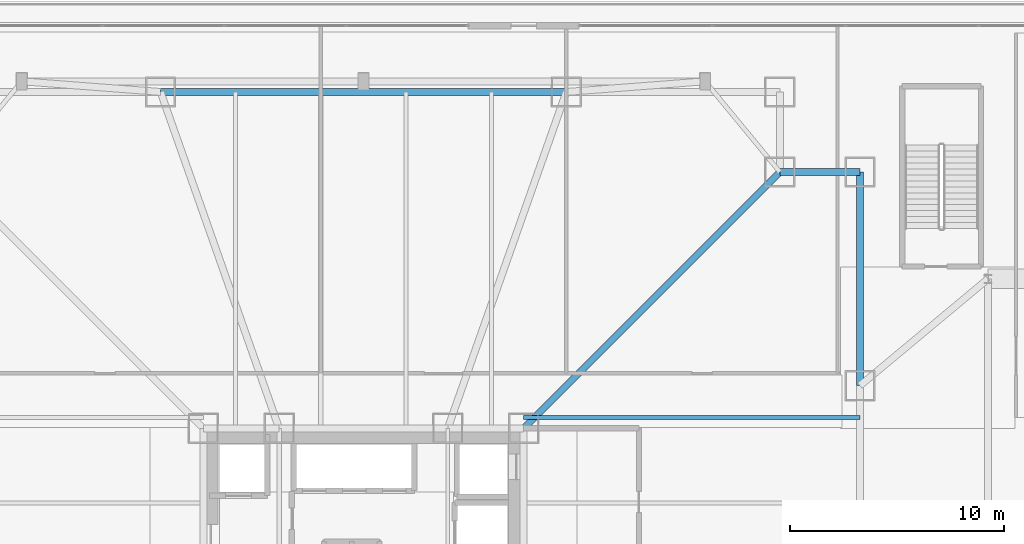
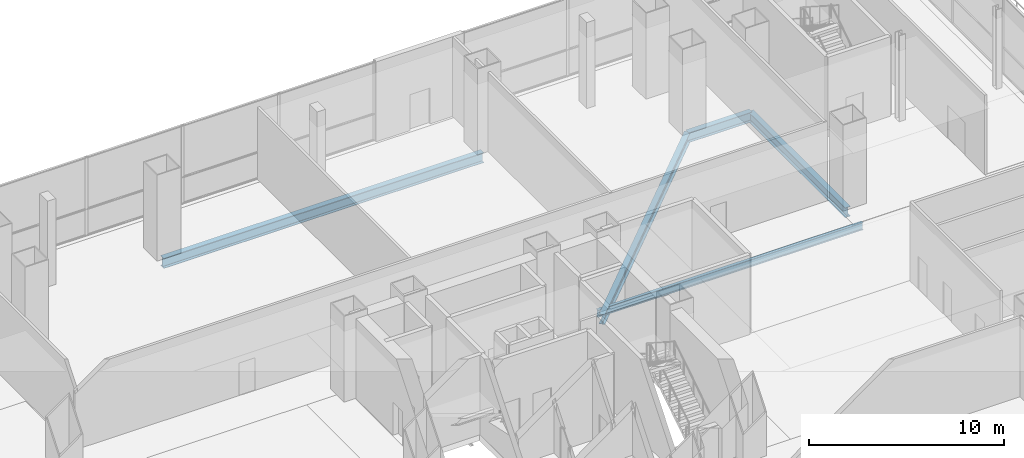
# One storey, part 15 of 35: 5 beams.
"""IFC4 building model written with IfcOpenShell, lengths in metres."""

import ifcopenshell
import ifcopenshell.guid

model = None  # the IFC model being written
_history = None  # IfcOwnerHistory: only IFC2X3 demands one
_inside = {}  # id of a spatial element -> (the spatial element, [elements in it])
_under = {}  # id of a project, library or spatial element -> (it, [spatial elements below it])
_declared = {}  # id of a project -> (the project, [libraries it declares])
_typed = {}  # id of a type object -> (the type object, [elements of that type])
_made_of = {}  # id of a material, layer set ... -> (it, [elements and type objects made of it])


def new_model(schema):
    """Start an empty IFC model of exactly this schema.

    Asked for "IFC4X3", IfcOpenShell would pick the latest addendum, in which some entities
    have other attributes; the version numbers below select the first issue.
    IFC2X3 requires an IfcOwnerHistory on every rooted entity: one is made here for all.
    """
    global model, _history
    if schema == "IFC4X3":
        model = ifcopenshell.file(schema_version=(4, 3, 0, 0))
    else:
        model = ifcopenshell.file(schema=schema)
    _inside.clear()
    _under.clear()
    _declared.clear()
    _typed.clear()
    _made_of.clear()
    _history = None
    if model.schema == "IFC2X3":
        org = make("IfcOrganization", Name="unknown")
        user = make(
            "IfcPersonAndOrganization",
            ThePerson=make("IfcPerson", FamilyName="unknown"),
            TheOrganization=org,
        )
        app = make(
            "IfcApplication",
            ApplicationDeveloper=org,
            Version="unknown",
            ApplicationFullName="unknown",
            ApplicationIdentifier="unknown",
        )
        _history = make(
            "IfcOwnerHistory",
            OwningUser=user,
            OwningApplication=app,
            ChangeAction="ADDED",
            CreationDate=0,
        )
    return model


def make(cls, **values):
    """One entity of the class cls with the attributes given. An attribute that is None is left unset."""
    return model.create_entity(
        cls, **{name: value for name, value in values.items() if value is not None}
    )


def rooted(cls, **values):
    """An entity with a GlobalId (a new one), such as an element, a storey or a relation."""
    return make(cls, GlobalId=ifcopenshell.guid.new(), OwnerHistory=_history, **values)


def si_unit(unit_type, name, prefix=None):
    """IfcSIUnit, for example si_unit("LENGTHUNIT", "METRE", prefix="MILLI")."""
    return make("IfcSIUnit", UnitType=unit_type, Prefix=prefix, Name=name)


def assignment(units):
    """IfcUnitAssignment: the units of a project."""
    return None if units is None else make("IfcUnitAssignment", Units=units)


def point(xyz):
    """IfcCartesianPoint."""
    return None if xyz is None else make("IfcCartesianPoint", Coordinates=xyz)


def direction(xyz):
    """IfcDirection."""
    return None if xyz is None else make("IfcDirection", DirectionRatios=xyz)


def frame(location, z_axis=None, x_axis=None):
    """IfcAxis2Placement3D, a coordinate frame: its origin and axes. An axis left out is left unset."""
    return make(
        "IfcAxis2Placement3D",
        Location=point(location),
        Axis=direction(z_axis),
        RefDirection=direction(x_axis),
    )


def frame_2d(location, x_axis=None):
    """IfcAxis2Placement2D, a coordinate frame in the plane: its origin and x axis."""
    return make(
        "IfcAxis2Placement2D", Location=point(location), RefDirection=direction(x_axis)
    )


def origin():
    """The frame at (0, 0, 0) with its axes left unset."""
    return frame((0.0, 0.0, 0.0))


def origin_2d():
    """The frame at (0, 0) in the plane with its x axis left unset."""
    return frame_2d((0.0, 0.0))


def place(relative_to, where):
    """IfcLocalPlacement: puts the frame where relative to a parent placement (None: the world)."""
    return make(
        "IfcLocalPlacement", PlacementRelTo=relative_to, RelativePlacement=where
    )


def context(
    kind, dimensions, precision=None, world=None, true_north=None, identifier=None
):
    """IfcGeometricRepresentationContext, for example the 3D "Model" context."""
    return make(
        "IfcGeometricRepresentationContext",
        ContextIdentifier=identifier,
        ContextType=kind,
        CoordinateSpaceDimension=dimensions,
        Precision=precision,
        WorldCoordinateSystem=world,
        TrueNorth=true_north,
    )


def subcontext(parent, identifier, kind, view, scale=None):
    """IfcGeometricRepresentationSubContext, for example "Body" below "Model"."""
    return make(
        "IfcGeometricRepresentationSubContext",
        ContextIdentifier=identifier,
        ContextType=kind,
        ParentContext=parent,
        TargetScale=scale,
        TargetView=view,
    )


def project(units=None, contexts=None):
    """IfcProject with its units and contexts."""
    return rooted(
        "IfcProject",
        Name="project",
        RepresentationContexts=contexts,
        UnitsInContext=assignment(units),
    )


def spatial(cls, under=None, at=None, **own):
    """A site, building, storey or space (cls), placed at a placement, below another one or the project."""
    s = rooted(cls, ObjectPlacement=at, **own)
    if under is not None:
        _under.setdefault(under.id(), (under, []))[1].append(s)
    return s


def profile(cls, at=None, kind="AREA", **sizes):
    """A parametric profile (cls). Its sizes go by their IFC names, for example OverallWidth=200.0."""
    return make(cls, ProfileType=kind, Position=at, **sizes)


def i_section(**sizes):
    """IfcIShapeProfileDef."""
    return profile("IfcIShapeProfileDef", **sizes)


def extrude(swept, where, along, depth):
    """IfcExtrudedAreaSolid: the profile swept, set in the frame where, extruded along a direction by depth."""
    return make(
        "IfcExtrudedAreaSolid",
        SweptArea=swept,
        Position=where,
        ExtrudedDirection=direction(along),
        Depth=depth,
    )


def shape(context_of_items, identifier, shape_type, items):
    """IfcShapeRepresentation: the items that make up one representation, for example the "Body"."""
    return make(
        "IfcShapeRepresentation",
        ContextOfItems=context_of_items,
        RepresentationIdentifier=identifier,
        RepresentationType=shape_type,
        Items=items,
    )


def material(Name=None, Category=None):
    """IfcMaterial."""
    return make("IfcMaterial", Name=Name, Category=Category)


def material_profile(
    of_material, cross_section, Name=None, Category=None, Priority=None
):
    """IfcMaterialProfile: a cross section and its material."""
    return make(
        "IfcMaterialProfile",
        Name=Name,
        Material=of_material,
        Profile=cross_section,
        Priority=Priority,
        Category=Category,
    )


def profile_set(profiles, Name=None, composite=None):
    """IfcMaterialProfileSet."""
    return make(
        "IfcMaterialProfileSet",
        Name=Name,
        MaterialProfiles=profiles,
        CompositeProfile=composite,
    )


def made_of(thing, what):
    """Note that an element or type object is made of a material, layer set ...; save() writes the relation."""
    if what is not None:
        _made_of.setdefault(what.id(), (what, []))[1].append(thing)
    return thing


def type_object(cls, material=None, **own):
    """A type object (cls), such as IfcWallType, which elements share."""
    return made_of(rooted(cls, **own), material)


def element(
    cls,
    number,
    at=None,
    inside=None,
    cuts=None,
    type_object=None,
    material=None,
    context=None,
    identifier="Body",
    shape_type=None,
    held_by="IfcProductDefinitionShape",
    body=None,
    shapes=None,
    **own,
):
    """One element of the class cls, such as IfcWall. Its Tag is "e" and its number.

    at: its placement. inside: the storey or other place that contains it. cuts: it is an
    opening in that element (IfcRelVoidsElement). A single representation is given by context,
    identifier, shape_type and body (its items); several are given by shapes. held_by: the class
    of the entity that holds the representations. save() writes the other relations.
    """
    e = rooted(cls, Tag="e%d" % number, ObjectPlacement=at, **own)
    if body is not None:
        shapes = [shape(context, identifier, shape_type, body)]
    if shapes is not None:
        e.Representation = make(held_by, Representations=shapes)
    if inside is not None:
        _inside.setdefault(inside.id(), (inside, []))[1].append(e)
    if cuts is not None:
        rooted(
            "IfcRelVoidsElement", RelatingBuildingElement=cuts, RelatedOpeningElement=e
        )
    if type_object is not None:
        _typed.setdefault(type_object.id(), (type_object, []))[1].append(e)
    return made_of(e, material)


def aggregate(whole, parts):
    """IfcRelAggregates: a whole, such as a stair, and the parts it consists of."""
    return rooted("IfcRelAggregates", RelatingObject=whole, RelatedObjects=parts)


def save(model, path):
    """Write the relations noted so far, then the file.

    IfcRelAggregates (storeys below a building ...), IfcRelContainedInSpatialStructure (elements
    in a storey), IfcRelDefinesByType, IfcRelAssociatesMaterial and IfcRelDeclares: one each for
    every whole, place, type object, material and project.
    """
    for whole, parts in _under.values():
        aggregate(whole, parts)
    for where, things in _inside.values():
        rooted(
            "IfcRelContainedInSpatialStructure",
            RelatedElements=things,
            RelatingStructure=where,
        )
    for kind, things in _typed.values():
        rooted("IfcRelDefinesByType", RelatedObjects=things, RelatingType=kind)
    for what, things in _made_of.values():
        rooted("IfcRelAssociatesMaterial", RelatedObjects=things, RelatingMaterial=what)
    for by, libraries in _declared.values():
        rooted("IfcRelDeclares", RelatingContext=by, RelatedDefinitions=libraries)
    model.write(path)


model = new_model("IFC4")

# Units and contexts
model_context = context("Model", 3, precision=1e-05, world=origin(), true_north=direction((0.0, 1.0)))
body_context = subcontext(model_context, "Body", "Model", "MODEL_VIEW")
ifc_project = project(units=[si_unit("LENGTHUNIT", "METRE"), si_unit("AREAUNIT", "SQUARE_METRE"), si_unit("VOLUMEUNIT", "CUBIC_METRE"), si_unit("PLANEANGLEUNIT", "RADIAN"), si_unit("MASSUNIT", "GRAM", prefix="KILO")], contexts=[model_context])

# Site, building, storey
site_placement = place(None, origin())
site = spatial("IfcSite", under=ifc_project, at=site_placement, CompositionType="ELEMENT")
building_placement = place(site_placement, origin())
building = spatial("IfcBuilding", under=site, at=building_placement, Name="Trevonay Congress Spire", CompositionType="ELEMENT")
storey_placement = place(building_placement, frame((0.0, 0.0, 10.800048828125)))
storey = spatial("IfcBuildingStorey", under=building, at=storey_placement, Name="L02", CompositionType="ELEMENT", Elevation=10.800048828125)

# Beams
ifc_material = material(Name="Steel ASTM A572 Grade 50", Category="steel")
ifc_material_profile_1 = material_profile(ifc_material, i_section(OverallWidth=0.324951171875, OverallDepth=0.615966796875, WebThickness=0.013916015625, FlangeThickness=0.021484375, FilletRadius=0.01806640625, at=origin_2d()), Name="W610x174")
ifc_profile_set_1 = profile_set([ifc_material_profile_1], Name="Steel ASTM A572 Grade 50")
beam_type_1 = type_object("IfcBeamType", Name="BM-GIRD-W610X174", PredefinedType="BEAM", material=ifc_profile_set_1)
beam_1_placement = place(storey_placement, frame((23.25, 9.5, -0.7080078125), z_axis=(0.0, 1.0, 0.0), x_axis=(-1.0, 0.0, 0.0)))
element("IfcBeam", 1, at=beam_1_placement, inside=storey, type_object=beam_type_1, Name="L02 structural beam BM-L02-ME3", PredefinedType="BEAM", context=body_context, shape_type="SweptSolid", body=[
    extrude(i_section(OverallWidth=0.324951171875, OverallDepth=0.615966796875, WebThickness=0.013916015625, FlangeThickness=0.021484375, FilletRadius=0.01806640625, at=origin_2d()), origin(), (0.0, 0.0, 1.0), 10.0),
])
beam_2_placement = place(storey_placement, frame((23.25, 19.5, -0.7080078125), z_axis=(-1.0, 0.0, 0.0), x_axis=(0.0, -1.0, 0.0)))
element("IfcBeam", 2, at=beam_2_placement, inside=storey, type_object=beam_type_1, Name="L02 structural beam BM-L02-CEN", PredefinedType="BEAM", context=body_context, shape_type="SweptSolid", body=[
    extrude(i_section(OverallWidth=0.324951171875, OverallDepth=0.615966796875, WebThickness=0.013916015625, FlangeThickness=0.021484375, FilletRadius=0.01806640625, at=origin_2d()), origin(), (0.0, 0.0, 1.0), 3.75),
])
beam_3_placement = place(storey_placement, frame((7.5, 7.5, -0.7080078125), z_axis=(0.707106781187, 0.707106781187, 0.0), x_axis=(-0.707106781187, 0.707106781187, 0.0)))
element("IfcBeam", 3, at=beam_3_placement, inside=storey, type_object=beam_type_1, Name="L02 structural beam BM-L02-RAD-NE", PredefinedType="BEAM", context=body_context, shape_type="SweptSolid", body=[
    extrude(i_section(OverallWidth=0.324951171875, OverallDepth=0.615966796875, WebThickness=0.013916015625, FlangeThickness=0.021484375, FilletRadius=0.01806640625, at=origin_2d()), origin(), (0.0, 0.0, 1.0), 16.970458984375),
])
ifc_material_profile_2 = material_profile(ifc_material, i_section(OverallWidth=0.3291015625, OverallDepth=0.635009765625, WebThickness=0.017822265625, FlangeThickness=0.031005859375, FilletRadius=0.01806640625, at=origin_2d()), Name="W610x241")
ifc_profile_set_2 = profile_set([ifc_material_profile_2], Name="Steel ASTM A572 Grade 50")
beam_type_2 = type_object("IfcBeamType", Name="BM-GIRD-W610X241", PredefinedType="BEAM", material=ifc_profile_set_2)
beam_4_placement = place(storey_placement, frame((-9.5, 23.25, -0.717529296875), z_axis=(1.0, 0.0, 0.0), x_axis=(0.0, 1.0, 0.0)))
element("IfcBeam", 4, at=beam_4_placement, inside=storey, type_object=beam_type_2, Name="L02 structural beam BM-L02-MN2", PredefinedType="BEAM", context=body_context, shape_type="SweptSolid", body=[
    extrude(i_section(OverallWidth=0.3291015625, OverallDepth=0.635009765625, WebThickness=0.017822265625, FlangeThickness=0.031005859375, FilletRadius=0.01806640625, at=origin_2d()), origin(), (0.0, 0.0, 1.0), 19.0),
])
ifc_material_profile_3 = material_profile(ifc_material, i_section(OverallWidth=0.18994140625, OverallDepth=0.45703125, WebThickness=0.009033203125, FlangeThickness=0.014404296875, FilletRadius=0.013916015625, at=origin_2d()), Name="W460x74")
ifc_profile_set_3 = profile_set([ifc_material_profile_3], Name="Steel ASTM A572 Grade 50")
beam_type_3 = type_object("IfcBeamType", Name="JS-COMP-W460X74", PredefinedType="JOIST", material=ifc_profile_set_3)
beam_5_placement = place(storey_placement, frame((7.5, 8.0, -0.628662109375), z_axis=(1.0, 0.0, 0.0), x_axis=(0.0, 1.0, 0.0)))
element("IfcBeam", 5, at=beam_5_placement, inside=storey, type_object=beam_type_3, Name="L02 structural beam JS-L02-EH4", PredefinedType="JOIST", context=body_context, shape_type="SweptSolid", body=[
    extrude(i_section(OverallWidth=0.18994140625, OverallDepth=0.45703125, WebThickness=0.009033203125, FlangeThickness=0.014404296875, FilletRadius=0.013916015625, at=origin_2d()), origin(), (0.0, 0.0, 1.0), 15.75),
])

save(model, "model.ifc")
